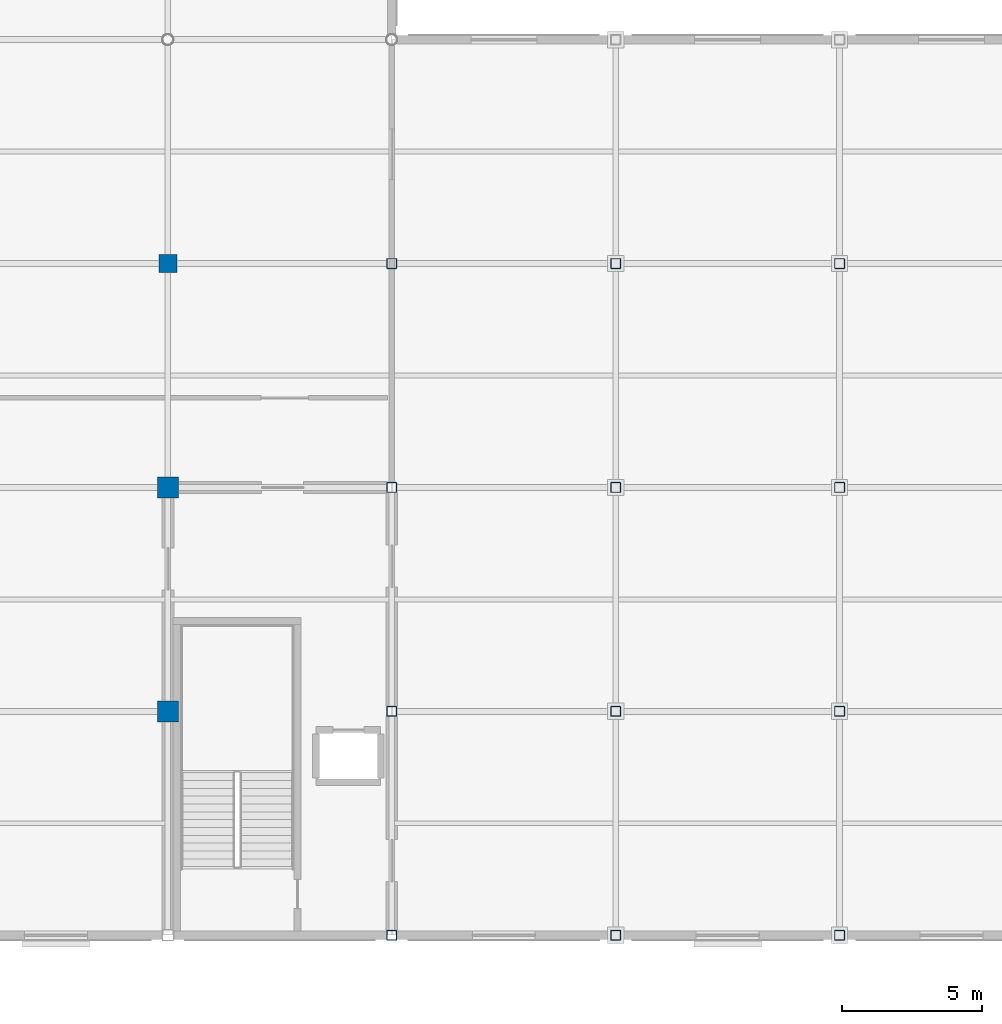
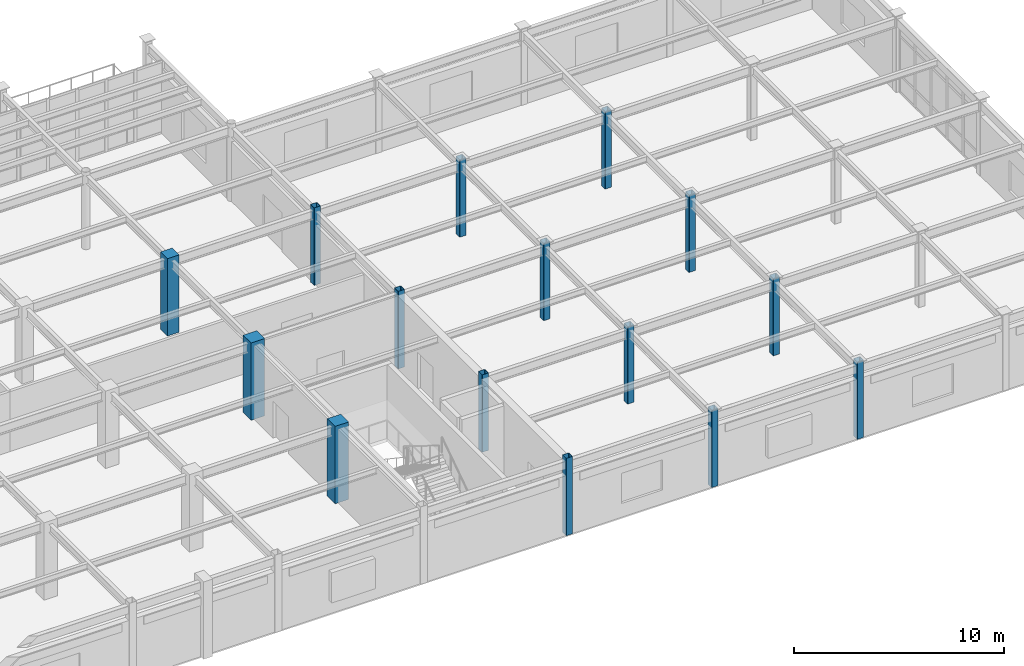
# One storey, part 5 of 111: 15 columns.
"""IFC4 building model written with IfcOpenShell, lengths in metres."""

from ifc_helpers import new_model, si_unit, direction, frame, origin, origin_2d, place, context, subcontext, project, spatial, rectangle, hollow_rectangle, extrude, material, material_profile, profile_set, type_object, element, save


model = new_model("IFC4")

# Units and contexts
model_context = context("Model", 3, precision=1e-05, world=origin(), true_north=direction((0.0, 1.0)))
body_context = subcontext(model_context, "Body", "Model", "MODEL_VIEW")
ifc_project = project(units=[si_unit("LENGTHUNIT", "METRE"), si_unit("AREAUNIT", "SQUARE_METRE"), si_unit("VOLUMEUNIT", "CUBIC_METRE"), si_unit("PLANEANGLEUNIT", "RADIAN"), si_unit("MASSUNIT", "GRAM", prefix="KILO")], contexts=[model_context])

# Site, building, storey
site_placement = place(None, origin())
site = spatial("IfcSite", under=ifc_project, at=site_placement, CompositionType="ELEMENT")
building_placement = place(site_placement, origin())
building = spatial("IfcBuilding", under=site, at=building_placement, Name="Solmirada Galleria", CompositionType="ELEMENT")
storey_placement = place(building_placement, frame((0.0, 0.0, 10.39990234375)))
storey = spatial("IfcBuildingStorey", under=building, at=storey_placement, Name="L02", CompositionType="ELEMENT", Elevation=10.39990234375)

# Columns
ifc_material_1 = material(Name="Steel S355 / ASTM A500 Grade C", Category="steel")
ifc_material_profile_1 = material_profile(ifc_material_1, hollow_rectangle(XDim=0.35595703125, YDim=0.35595703125, WallThickness=0.01171875, InnerFilletRadius=0.01171875, OuterFilletRadius=0.023681640625, at=origin_2d()), Name="HSS14X14X1/2")
ifc_profile_set_1 = profile_set([ifc_material_profile_1], Name="Steel S355 / ASTM A500 Grade C")
column_type_1 = type_object("IfcColumnType", Name="COL-HSS14", PredefinedType="COLUMN", material=ifc_profile_set_1)
for number, where, z_axis, x_axis, name in (
    (1, (144.0, 0.0, 0.0), (0.0, 0.0, 1.0), (1.0, 0.0, 0.0), "Structural column L02-1208"),
    (2, (144.0, 8.0, 0.0), (0.0, 0.0, 1.0), (1.0, 0.0, 0.0), "Structural column L02-1213"),
    (3, (144.0, 16.0, 0.0), (0.0, 0.0, 1.0), (1.0, 0.0, 0.0), "Structural column L02-1218"),
    (4, (144.0, 24.0, 0.0), (0.0, 0.0, 1.0), (1.0, 0.0, 0.0), "Structural column L02-1223"),
    (5, (152.0, 0.0, 0.0), (0.0, 0.0, 1.0), (1.0, 0.0, 0.0), "Structural column L02-1294"),
    (6, (152.0, 8.0, 0.0), (0.0, 0.0, 1.0), (1.0, 0.0, 0.0), "Structural column L02-1298"),
    (7, (152.0, 16.0, 0.0), (0.0, 0.0, 1.0), (1.0, 0.0, 0.0), "Structural column L02-1302"),
    (8, (152.0, 24.0, 0.0), (0.0, 0.0, 1.0), (1.0, 0.0, 0.0), "Structural column L02-1306"),
    (9, (160.0, 0.0, 0.0), (0.0, 0.0, 1.0), (1.0, 0.0, 0.0), "Structural column L02-1367"),
    (10, (160.0, 8.0, 0.0), (0.0, 0.0, 1.0), (1.0, 0.0, 0.0), "Structural column L02-1371"),
    (11, (160.0, 16.0, 0.0), (0.0, 0.0, 1.0), (1.0, 0.0, 0.0), "Structural column L02-1375"),
    (12, (160.0, 24.0, 0.0), (0.0, 0.0, 1.0), (1.0, 0.0, 0.0), "Structural column L02-1379"),
):
    element("IfcColumn", number, at=place(storey_placement, frame(where, z_axis=z_axis, x_axis=x_axis)), inside=storey, type_object=column_type_1, Name=name, PredefinedType="COLUMN", context=body_context, shape_type="SweptSolid", body=[
        extrude(hollow_rectangle(XDim=0.35595703125, YDim=0.35595703125, WallThickness=0.01171875, InnerFilletRadius=0.01171875, OuterFilletRadius=0.023681640625, at=origin_2d()), origin(), (0.0, 0.0, 1.0), 4.5),
    ])
ifc_material_2 = material(Name="Concrete C40/50", Category="concrete")
ifc_material_profile_2 = material_profile(ifc_material_2, rectangle(XDim=0.64990234375, YDim=0.64990234375, at=origin_2d()), Name="RC650X650")
ifc_profile_set_2 = profile_set([ifc_material_profile_2], Name="Concrete C40/50")
column_type_2 = type_object("IfcColumnType", Name="COL-RC650", PredefinedType="COLUMN", material=ifc_profile_set_2)
column_placement = place(storey_placement, frame((136.0, 24.0, 0.0), z_axis=(0.0, 0.0, 1.0), x_axis=(1.0, 0.0, 0.0)))
element("IfcColumn", 13, at=column_placement, inside=storey, type_object=column_type_2, Name="Structural column L02-1131", PredefinedType="COLUMN", context=body_context, shape_type="SweptSolid", body=[
    extrude(rectangle(XDim=0.64990234375, YDim=0.64990234375, at=origin_2d()), origin(), (0.0, 0.0, 1.0), 4.5),
])
ifc_material_profile_3 = material_profile(ifc_material_2, rectangle(XDim=0.75, YDim=0.75, at=origin_2d()), Name="RC750X750")
ifc_profile_set_3 = profile_set([ifc_material_profile_3], Name="Concrete C40/50")
column_type_3 = type_object("IfcColumnType", Name="COL-RC750", PredefinedType="COLUMN", material=ifc_profile_set_3)
for number, where, z_axis, x_axis, name in (
    (14, (136.0, 8.0, 0.0), (0.0, 0.0, 1.0), (1.0, 0.0, 0.0), "Structural column L02-1115"),
    (15, (136.0, 16.0, 0.0), (0.0, 0.0, 1.0), (1.0, 0.0, 0.0), "Structural column L02-1123"),
):
    element("IfcColumn", number, at=place(storey_placement, frame(where, z_axis=z_axis, x_axis=x_axis)), inside=storey, type_object=column_type_3, Name=name, PredefinedType="COLUMN", context=body_context, shape_type="SweptSolid", body=[
        extrude(rectangle(XDim=0.75, YDim=0.75, at=origin_2d()), origin(), (0.0, 0.0, 1.0), 4.5),
    ])

save(model, "model.ifc")
